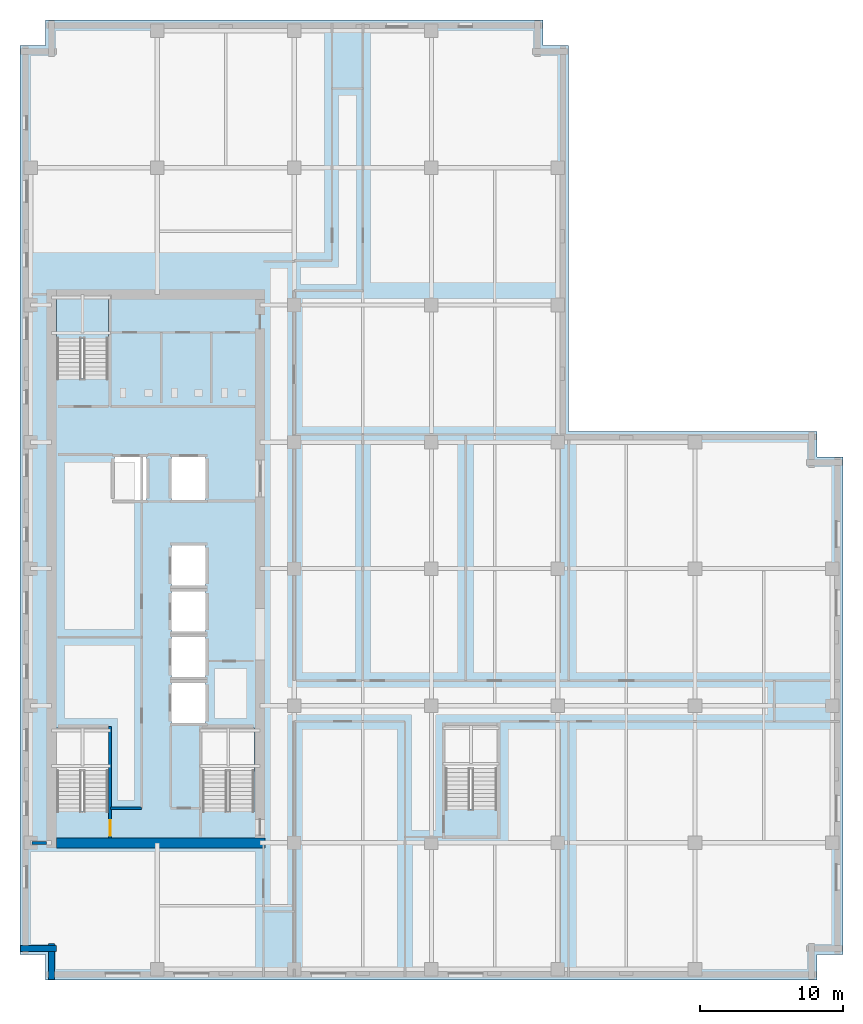
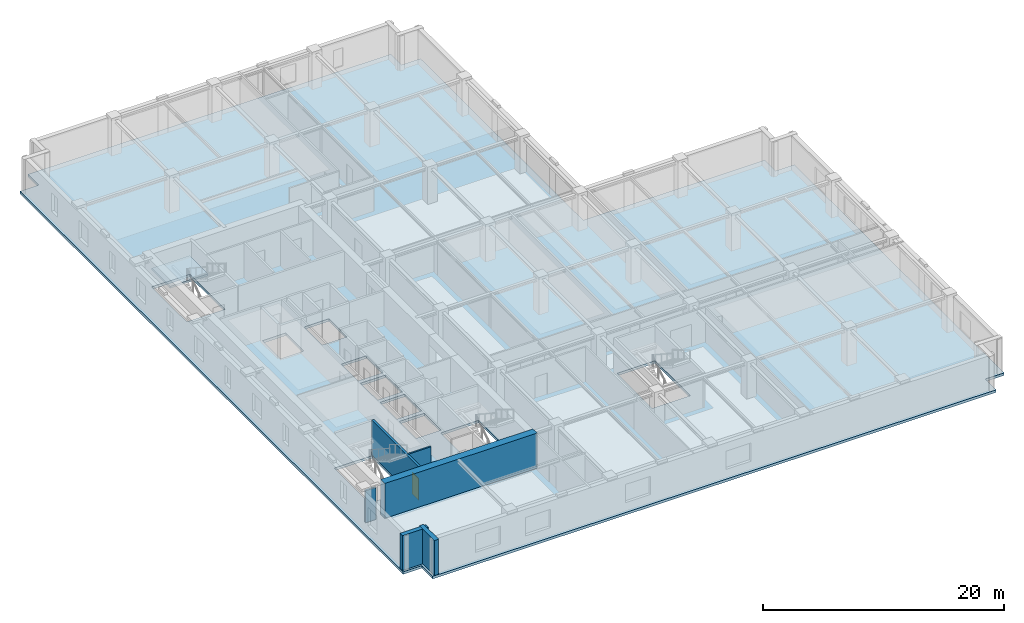
# One storey, part 3 of 13: 6 walls, 2 slabs, 1 door, 1 opening, 1 element without a shape of its own.
"""IFC4 building model written with IfcOpenShell, lengths in metres."""

from ifc_helpers import new_model, si_unit, direction, frame, frame_2d, origin, place, context, subcontext, project, spatial, polyline, rectangle, outline, extrude, material, layer, layer_set, type_object, element, fill, aggregate, save


model = new_model("IFC4")

# Units and contexts
model_context = context("Model", 3, precision=1e-05, world=origin(), true_north=direction((0.0, 1.0)))
body_context = subcontext(model_context, "Body", "Model", "MODEL_VIEW")
ifc_project = project(units=[si_unit("LENGTHUNIT", "METRE"), si_unit("AREAUNIT", "SQUARE_METRE"), si_unit("VOLUMEUNIT", "CUBIC_METRE"), si_unit("PLANEANGLEUNIT", "RADIAN"), si_unit("MASSUNIT", "GRAM", prefix="KILO")], contexts=[model_context])

# Site, building, storey
site_placement = place(None, origin())
site = spatial("IfcSite", under=ifc_project, at=site_placement, CompositionType="ELEMENT")
building_placement = place(site_placement, origin())
building = spatial("IfcBuilding", under=site, at=building_placement, Name="Norrvale University Quadrangle", CompositionType="ELEMENT")
storey_placement = place(building_placement, frame((0.0, 0.0, 178.800048828125)))
storey = spatial("IfcBuildingStorey", under=building, at=storey_placement, Name="L45", CompositionType="ELEMENT", Elevation=178.800048828125)

# Stair, slab
ifc_material_1 = material(Name="Concrete C40/50", Category="concrete")
stair_type = type_object("IfcStairType", Name="Stair Tower Typ 3800", PredefinedType="TWO_STRAIGHT_RUN_STAIR", material=ifc_material_1)
stair_placement = place(storey_placement, origin())
stair = element("IfcStair", 1, at=stair_placement, inside=storey, type_object=stair_type, Name="Exit Stair ST-02 L45", PredefinedType="TWO_STRAIGHT_RUN_STAIR")
ifc_layer_1 = layer(ifc_material_1, 0.199951171875, Name="Concrete C40/50")
ifc_layer_set_1 = layer_set([ifc_layer_1], Name="Concrete C40/50")
slab_type_1 = type_object("IfcSlabType", Name="Slab Landing 200", PredefinedType="LANDING", material=ifc_layer_set_1)
slab_1_placement = place(storey_placement, frame((0.0, 0.0, 1.699951171875)))
slab_1 = element("IfcSlab", 2, at=slab_1_placement, type_object=slab_type_1, Name="Exit Stair ST-02 L45 Mid Landing", PredefinedType="LANDING", context=body_context, shape_type="SweptSolid", body=[
    extrude(outline(polyline([(2.550048828125, 44.889892578125), (6.199951171875, 44.889892578125), (6.199951171875, 47.949951171875), (2.550048828125, 47.949951171875), (2.550048828125, 44.889892578125)])), origin(), (0.0, 0.0, 1.0), 0.199951171875),
])
aggregate(stair, [slab_1])

# Slab
ifc_layer_2 = layer(ifc_material_1, 0.260009765625, Name="Concrete C40/50")
ifc_layer_set_2 = layer_set([ifc_layer_2], Name="Concrete C40/50")
slab_type_2 = type_object("IfcSlabType", Name="Slab Tower Typ 260", PredefinedType="FLOOR", material=ifc_layer_set_2)
slab_2_placement = place(storey_placement, frame((0.0, 0.0, -0.260009765625)))
element("IfcSlab", 3, at=slab_2_placement, inside=storey, type_object=slab_type_2, Name="Tower L45 Floor Slab", PredefinedType="FLOOR", context=body_context, shape_type="SweptSolid", body=[
    extrude(outline(polyline([(1.800048828125, 0.0), (55.800048828125, 0.0), (55.800048828125, 1.800048828125), (57.60009765625, 1.800048828125), (57.60009765625, 36.60009765625), (55.800048828125, 36.60009765625), (55.800048828125, 38.39990234375), (38.39990234375, 38.39990234375), (38.39990234375, 65.39990234375), (36.60009765625, 65.39990234375), (36.60009765625, 67.199951171875), (1.800048828125, 67.199951171875), (1.800048828125, 65.39990234375), (0.0, 65.39990234375), (0.0, 1.800048828125), (1.800048828125, 1.800048828125), (1.800048828125, 0.0)]), holes=[polyline([(2.550048828125, 11.81005859375), (6.199951171875, 11.81005859375), (6.199951171875, 17.64990234375), (2.550048828125, 17.64990234375), (2.550048828125, 11.81005859375)]), polyline([(2.550048828125, 42.110107421875), (6.199951171875, 42.110107421875), (6.199951171875, 47.949951171875), (2.550048828125, 47.949951171875), (2.550048828125, 42.110107421875)]), polyline([(12.75, 11.81005859375), (16.39990234375, 11.81005859375), (16.39990234375, 17.64990234375), (12.75, 17.64990234375), (12.75, 11.81005859375)]), polyline([(29.75, 11.9599609375), (33.39990234375, 11.9599609375), (33.39990234375, 17.800048828125), (29.75, 17.800048828125), (29.75, 11.9599609375)]), polyline([(10.60009765625, 18.0), (13.0, 18.0), (13.0, 20.800048828125), (10.60009765625, 20.800048828125), (10.60009765625, 18.0)]), polyline([(10.60009765625, 21.199951171875), (13.0, 21.199951171875), (13.0, 24.0), (10.60009765625, 24.0), (10.60009765625, 21.199951171875)]), polyline([(10.60009765625, 24.39990234375), (13.0, 24.39990234375), (13.0, 27.199951171875), (10.60009765625, 27.199951171875), (10.60009765625, 24.39990234375)]), polyline([(10.60009765625, 27.60009765625), (13.0, 27.60009765625), (13.0, 30.39990234375), (10.60009765625, 30.39990234375), (10.60009765625, 27.60009765625)]), polyline([(6.60009765625, 33.60009765625), (8.85009765625, 33.60009765625), (8.85009765625, 36.60009765625), (6.60009765625, 36.60009765625), (6.60009765625, 33.60009765625)]), polyline([(10.60009765625, 33.60009765625), (13.0, 33.60009765625), (13.0, 36.60009765625), (10.60009765625, 36.60009765625), (10.60009765625, 33.60009765625)])]), origin(), (0.0, 0.0, 1.0), 0.260009765625),
])

# Walls
ifc_material_2 = material(Name="Buff Norman Clay Brick Masonry", Category="masonry")
ifc_layer_3 = layer(ifc_material_2, 0.419921875, Name="Buff Norman Clay Brick Masonry")
ifc_layer_set_3 = layer_set([ifc_layer_3], Name="Buff Norman Clay Brick Masonry")
wall_type_1 = type_object("IfcWallType", Name="Wall Buff Brick 420", PredefinedType="SOLIDWALL", material=ifc_layer_set_3)
for number, where, z_axis, x_axis, name in (
    (4, (0.0400390625, 2.18994140625, 0.0), (0.0, 0.0, 1.0), (1.0, 0.0, 0.0), "Exterior Brick Facade Wall L45-15.1"),
    (5, (2.18994140625, 2.5400390625, 0.0), (0.0, 0.0, 1.0), (0.0, -1.0, 0.0), "Exterior Brick Facade Wall L45-16.1"),
):
    element("IfcWall", number, at=place(storey_placement, frame(where, z_axis=z_axis, x_axis=x_axis)), inside=storey, type_object=wall_type_1, Name=name, PredefinedType="SOLIDWALL", context=body_context, shape_type="SweptSolid", body=[
        extrude(rectangle(XDim=2.5, YDim=0.419921875, at=frame_2d((1.25, 0.0))), origin(), (0.0, 0.0, 1.0), 3.5400390625),
    ])
ifc_material_3 = material(Name="Concrete C60/75", Category="concrete")
ifc_layer_4 = layer(ifc_material_3, 0.699951171875, Name="Concrete C60/75")
ifc_layer_set_4 = layer_set([ifc_layer_4], Name="Concrete C60/75")
wall_type_2 = type_object("IfcWallType", Name="Wall Core 700", PredefinedType="SHEAR", material=ifc_layer_set_4)
wall_1_placement = place(storey_placement, frame((2.550048828125, 9.60009765625, 0.0), z_axis=(0.0, 0.0, 1.0), x_axis=(1.0, 0.0, 0.0)))
element("IfcWall", 6, at=wall_1_placement, inside=storey, type_object=wall_type_2, Name="Tower Core Shear Wall L45-S", PredefinedType="SHEAR", context=body_context, shape_type="SweptSolid", body=[
    extrude(rectangle(XDim=14.599853515625, YDim=0.699951171875, at=frame_2d((7.2998046875, 0.0))), origin(), (0.0, 0.0, 1.0), 3.5400390625),
])
ifc_material_4 = material(Name="Fire-Rated Gypsum Stud Partition")
ifc_layer_5 = layer(ifc_material_4, 0.14990234375, Name="Fire-Rated Gypsum Stud Partition")
ifc_layer_set_5 = layer_set([ifc_layer_5], Name="Fire-Rated Gypsum Stud Partition")
wall_type_3 = type_object("IfcWallType", Name="Wall Gypsum Corridor 150", PredefinedType="PARTITIONING", material=ifc_layer_set_5)
wall_2_placement = place(storey_placement, frame((6.320068359375, 12.02001953125, 0.0), z_axis=(0.0, 0.0, 1.0), x_axis=(1.0, 0.0, 0.0)))
element("IfcWall", 7, at=wall_2_placement, inside=storey, type_object=wall_type_3, Name="Interior Partition WL-L45-REC-S", PredefinedType="PARTITIONING", context=body_context, shape_type="SweptSolid", body=[
    extrude(rectangle(XDim=2.199951171875, YDim=0.14990234375, at=frame_2d((1.10009765625, 0.0))), origin(), (0.0, 0.0, 1.0), 3.5400390625),
])
ifc_material_5 = material(Name="Concrete Blockwork 20 MPa Rated Wall", Category="masonry")
ifc_layer_6 = layer(ifc_material_5, 0.199951171875, Name="Concrete Blockwork 20 MPa Rated Wall")
ifc_layer_set_6 = layer_set([ifc_layer_6], Name="Concrete Blockwork 20 MPa Rated Wall")
wall_type_4 = type_object("IfcWallType", Name="Wall Lobby 200", PredefinedType="SOLIDWALL", material=ifc_layer_set_6)
wall_3_placement = place(storey_placement, frame((0.85009765625, 9.60009765625, 0.0), z_axis=(0.0, 0.0, 1.0), x_axis=(1.0, 0.0, 0.0)))
element("IfcWall", 8, at=wall_3_placement, inside=storey, type_object=wall_type_4, Name="Interior Partition WL-L45-CWRET-S", PredefinedType="SOLIDWALL", context=body_context, shape_type="SweptSolid", body=[
    extrude(rectangle(XDim=0.994873046875, YDim=0.199951171875, at=frame_2d((0.49755859375, 0.0))), origin(), (0.0, 0.0, 1.0), 3.23193359375),
])

# Wall, opening, door
ifc_material_6 = material(Name="Concrete Blockwork 20 MPa Fire Shaft", Category="masonry")
ifc_layer_7 = layer(ifc_material_6, 0.219970703125, Name="Concrete Blockwork 20 MPa Fire Shaft")
ifc_layer_set_7 = layer_set([ifc_layer_7], Name="Concrete Blockwork 20 MPa Fire Shaft")
wall_type_5 = type_object("IfcWallType", Name="Wall Shaft 220", PredefinedType="SOLIDWALL", material=ifc_layer_set_7)
wall_4_placement = place(storey_placement, frame((6.31005859375, 9.949951171875, 0.0), z_axis=(0.0, 0.0, 1.0), x_axis=(0.0, 1.0, 0.0)))
wall_4 = element("IfcWall", 9, at=wall_4_placement, inside=storey, type_object=wall_type_5, Name="Stair ST-01 East Shaft Wall L45", PredefinedType="SOLIDWALL", context=body_context, shape_type="SweptSolid", body=[
    extrude(rectangle(XDim=7.81005859375, YDim=0.219970703125, at=frame_2d((3.905029296875, 0.0))), origin(), (0.0, 0.0, 1.0), 3.5400390625),
])
opening_placement = place(wall_4_placement, frame((0.139892578125, 0.0, 0.0)))
opening = element("IfcOpeningElement", 10, at=opening_placement, cuts=wall_4, Name="Opening D02", PredefinedType="OPENING", context=body_context, shape_type="SweptSolid", body=[
    extrude(rectangle(XDim=1.10009765625, YDim=2.199951171875, at=frame_2d((0.550048828125, 1.10009765625))), frame((0.0, 0.1220703125, 0.0), z_axis=(0.0, -1.0, 0.0), x_axis=(1.0, 0.0, 0.0)), (0.0, 0.0, 1.0), 0.243896484375),
])
ifc_material_7 = material(Name="Hollow Steel 350W Fire Door", Category="steel")
door_type = type_object("IfcDoorType", Name="Door Stair Exit 1100x2200", OperationType="NOTDEFINED", PredefinedType="DOOR", material=ifc_material_7)
door_placement = place(opening_placement, origin())
door = element("IfcDoor", 11, at=door_placement, inside=storey, type_object=door_type, Name="Door Stair Exit 1100x2200 DR-L45-ST01", OperationType="SINGLE_SWING_LEFT", OverallHeight=2.199951171875, OverallWidth=1.10009765625, PredefinedType="DOOR", context=body_context, shape_type="SweptSolid", body=[
    extrude(rectangle(XDim=1.10009765625, YDim=2.199951171875, at=frame_2d((0.550048828125, 1.10009765625))), frame((0.0, 0.02490234375, 0.0), z_axis=(0.0, -1.0, 0.0), x_axis=(1.0, 0.0, 0.0)), (0.0, 0.0, 1.0), 0.050048828125),
])
fill(opening, door)

save(model, "model.ifc")
